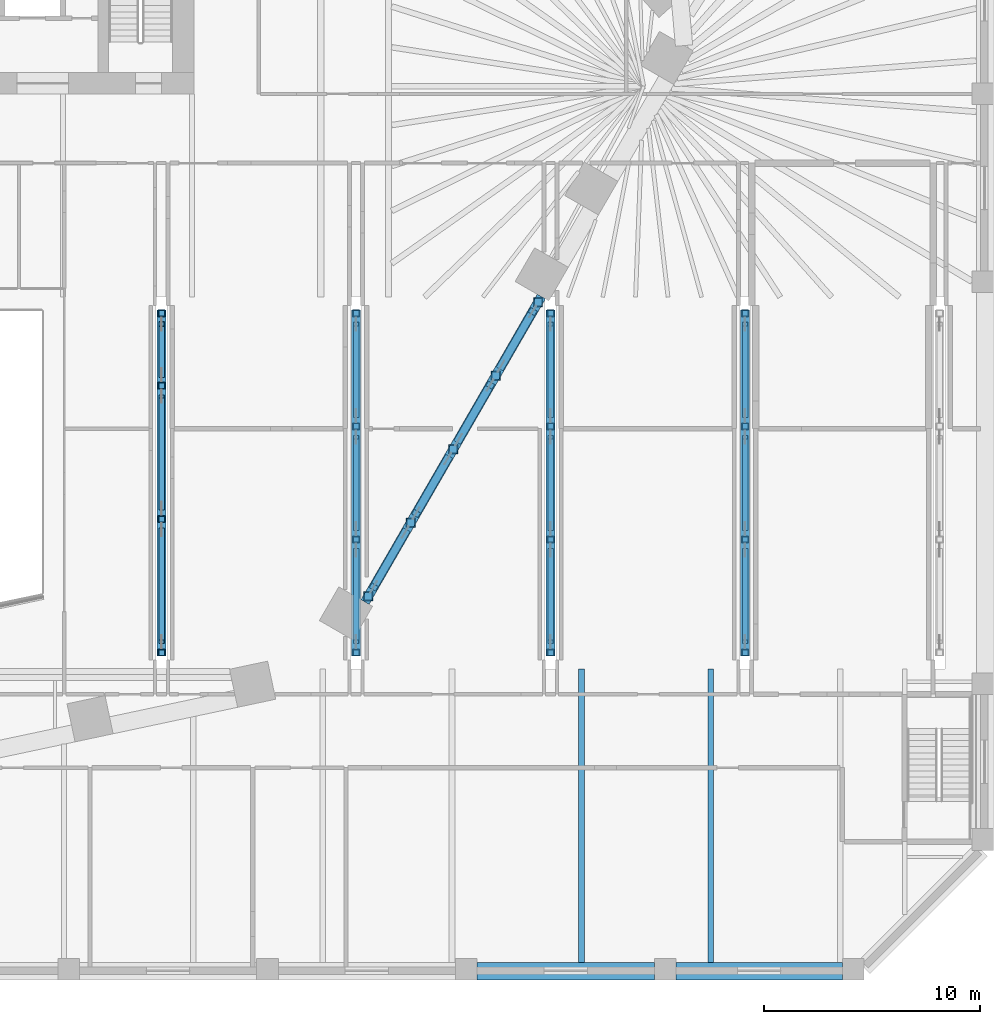
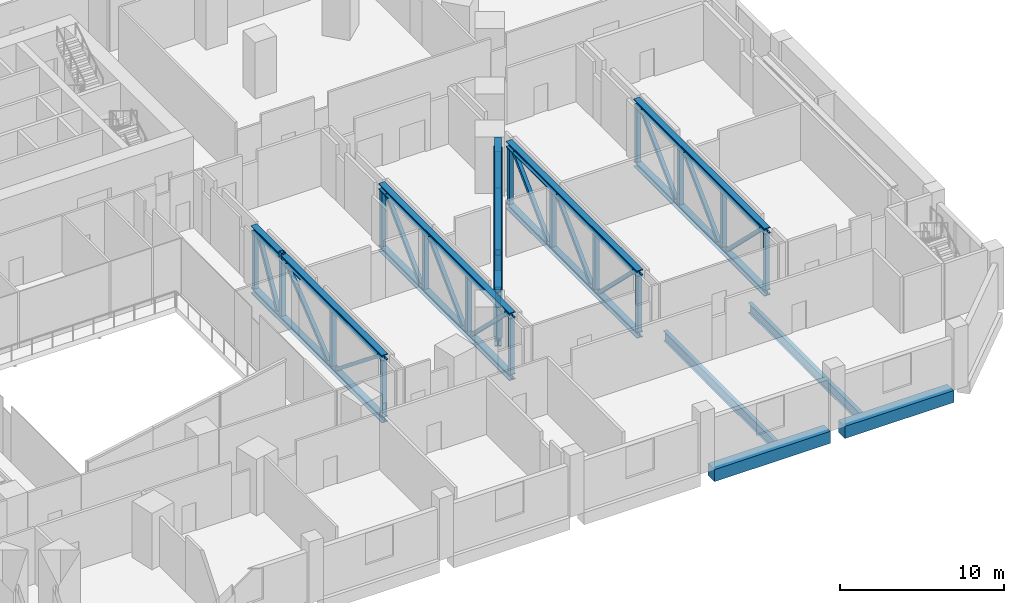
# One storey, part 7 of 32: 48 members, 4 beams.
"""IFC4 building model written with IfcOpenShell, lengths in metres."""

from ifc_helpers import new_model, si_unit, direction, frame, origin, origin_2d, place, context, subcontext, project, spatial, rectangle, hollow_rectangle, i_section, extrude, material, material_profile, profile_set, type_object, element, save


model = new_model("IFC4")

# Units and contexts
model_context = context("Model", 3, precision=1e-05, world=origin(), true_north=direction((0.0, 1.0)))
body_context = subcontext(model_context, "Body", "Model", "MODEL_VIEW")
ifc_project = project(units=[si_unit("LENGTHUNIT", "METRE"), si_unit("AREAUNIT", "SQUARE_METRE"), si_unit("VOLUMEUNIT", "CUBIC_METRE"), si_unit("PLANEANGLEUNIT", "RADIAN"), si_unit("MASSUNIT", "GRAM", prefix="KILO")], contexts=[model_context])

# Site, building, storey
site_placement = place(None, origin())
site = spatial("IfcSite", under=ifc_project, at=site_placement, CompositionType="ELEMENT")
building_placement = place(site_placement, origin())
building = spatial("IfcBuilding", under=site, at=building_placement, Name="Isthmus Gate Tower", CompositionType="ELEMENT")
storey_placement = place(building_placement, frame((0.0, 0.0, 18.0)))
storey = spatial("IfcBuildingStorey", under=building, at=storey_placement, Name="L02", CompositionType="ELEMENT", Elevation=18.0)

# Beams
ifc_material_1 = material(Name="Concrete f'c 70 MPa", Category="concrete")
ifc_material_profile_1 = material_profile(ifc_material_1, rectangle(XDim=0.800048828125, YDim=0.89990234375, at=origin_2d()), Name="RC 800X900")
ifc_profile_set_1 = profile_set([ifc_material_profile_1], Name="Concrete f'c 70 MPa")
beam_type_1 = type_object("IfcBeamType", Name="RC EDGE BEAM 800 X 900", PredefinedType="BEAM", material=ifc_profile_set_1)
beam_1_placement = place(storey_placement, frame((45.0, -40.60009765625, -0.85009765625), z_axis=(-1.0, 0.0, 0.0), x_axis=(0.0, -1.0, 0.0)))
element("IfcBeam", 1, at=beam_1_placement, inside=storey, type_object=beam_type_1, Name="str-edgebeam-L02-28", PredefinedType="BEAM", context=body_context, shape_type="SweptSolid", body=[
    extrude(rectangle(XDim=0.800048828125, YDim=0.89990234375, at=origin_2d()), origin(), (0.0, 0.0, 1.0), 7.699951171875),
])
beam_2_placement = place(storey_placement, frame((36.300048828125, -40.60009765625, -0.85009765625), z_axis=(-1.0, 0.0, 0.0), x_axis=(0.0, -1.0, 0.0)))
element("IfcBeam", 2, at=beam_2_placement, inside=storey, type_object=beam_type_1, Name="str-edgebeam-L02-29", PredefinedType="BEAM", context=body_context, shape_type="SweptSolid", body=[
    extrude(rectangle(XDim=0.800048828125, YDim=0.89990234375, at=origin_2d()), origin(), (0.0, 0.0, 1.0), 8.199951171875),
])
ifc_material_2 = material(Name="Structural steel ASTM A992 Gr 50", Category="steel")
ifc_material_profile_2 = material_profile(ifc_material_2, i_section(OverallWidth=0.263427734375, OverallDepth=0.749267578125, WebThickness=0.0126953125, FlangeThickness=0.015869140625, at=origin_2d()), Name="W30X90")
ifc_profile_set_2 = profile_set([ifc_material_profile_2], Name="Structural steel ASTM A992 Gr 50")
beam_type_2 = type_object("IfcBeamType", Name="STEEL FLOOR BEAM W30X90", PredefinedType="JOIST", material=ifc_profile_set_2)
for number, where, z_axis, x_axis, name in (
    (3, (32.927978515625, -40.199951171875, -0.774658203125), (0.0, 1.0, 0.0), (-1.0, 0.0, 0.0), "str-beam-L02-19-13"),
    (4, (38.914794921875, -40.199951171875, -0.774658203125), (0.0, 1.0, 0.0), (-1.0, 0.0, 0.0), "str-beam-L02-19-14"),
):
    element("IfcBeam", number, at=place(storey_placement, frame(where, z_axis=z_axis, x_axis=x_axis)), inside=storey, type_object=beam_type_2, Name=name, PredefinedType="JOIST", context=body_context, shape_type="SweptSolid", body=[
        extrude(i_section(OverallWidth=0.263427734375, OverallDepth=0.749267578125, WebThickness=0.0126953125, FlangeThickness=0.015869140625, at=origin_2d()), origin(), (0.0, 0.0, 1.0), 13.599853515625),
    ])

# Members
ifc_material_3 = material(Name="Structural steel ASTM A913 Gr 65", Category="steel")
ifc_material_profile_3 = material_profile(ifc_material_3, i_section(OverallWidth=0.416015625, OverallDepth=0.444580078125, WebThickness=0.039794921875, FlangeThickness=0.0634765625, at=origin_2d()), Name="W14X342")
ifc_profile_set_3 = profile_set([ifc_material_profile_3], Name="Structural steel ASTM A913 Gr 65")
member_type_1 = type_object("IfcMemberType", Name="TRANSFER TRUSS CHORD W14X342", PredefinedType="CHORD", material=ifc_profile_set_3)
member_1_placement = place(storey_placement, frame((13.5, -26.0, -0.622314453125), z_axis=(0.0, 1.0, 0.0), x_axis=(-1.0, 0.0, 0.0)))
element("IfcMember", 5, at=member_1_placement, inside=storey, type_object=member_type_1, Name="str-xtruss06-L02-05", PredefinedType="CHORD", context=body_context, shape_type="SweptSolid", body=[
    extrude(i_section(OverallWidth=0.416015625, OverallDepth=0.444580078125, WebThickness=0.039794921875, FlangeThickness=0.0634765625, at=origin_2d()), origin(), (0.0, 0.0, 1.0), 16.0),
])
member_2_placement = place(storey_placement, frame((13.5, -26.0, 3.977783203125), z_axis=(0.0, 1.0, 0.0), x_axis=(-1.0, 0.0, 0.0)))
element("IfcMember", 6, at=member_2_placement, inside=storey, type_object=member_type_1, Name="str-xtruss06-L02-06", PredefinedType="CHORD", context=body_context, shape_type="SweptSolid", body=[
    extrude(i_section(OverallWidth=0.416015625, OverallDepth=0.444580078125, WebThickness=0.039794921875, FlangeThickness=0.0634765625, at=origin_2d()), origin(), (0.0, 0.0, 1.0), 12.34765625),
])
member_3_placement = place(storey_placement, frame((13.5, -13.34765625, 3.977783203125), z_axis=(0.0, 1.0, 0.0), x_axis=(-1.0, 0.0, 0.0)))
element("IfcMember", 7, at=member_3_placement, inside=storey, type_object=member_type_1, Name="str-xtruss06-L02-07", PredefinedType="CHORD", context=body_context, shape_type="SweptSolid", body=[
    extrude(i_section(OverallWidth=0.416015625, OverallDepth=0.444580078125, WebThickness=0.039794921875, FlangeThickness=0.0634765625, at=origin_2d()), origin(), (0.0, 0.0, 1.0), 3.34765625),
])
for number, where, z_axis, x_axis, name in (
    (8, (22.5, -26.0, -0.622314453125), (0.0, 1.0, 0.0), (-1.0, 0.0, 0.0), "str-xtruss07-L02-05"),
    (9, (22.5, -26.0, 3.977783203125), (0.0, 1.0, 0.0), (-1.0, 0.0, 0.0), "str-xtruss07-L02-06"),
    (10, (31.5, -26.0, -0.622314453125), (0.0, 1.0, 0.0), (-1.0, 0.0, 0.0), "str-xtruss08-L02-05"),
    (11, (31.5, -26.0, 3.977783203125), (0.0, 1.0, 0.0), (-1.0, 0.0, 0.0), "str-xtruss08-L02-06"),
    (12, (40.5, -26.0, -0.622314453125), (0.0, 1.0, 0.0), (-1.0, 0.0, 0.0), "str-xtruss09-L02-05"),
    (13, (40.5, -26.0, 3.977783203125), (0.0, 1.0, 0.0), (-1.0, 0.0, 0.0), "str-xtruss09-L02-06"),
):
    element("IfcMember", number, at=place(storey_placement, frame(where, z_axis=z_axis, x_axis=x_axis)), inside=storey, type_object=member_type_1, Name=name, PredefinedType="CHORD", context=body_context, shape_type="SweptSolid", body=[
        extrude(i_section(OverallWidth=0.416015625, OverallDepth=0.444580078125, WebThickness=0.039794921875, FlangeThickness=0.0634765625, at=origin_2d()), origin(), (0.0, 0.0, 1.0), 16.0),
    ])
ifc_material_4 = material(Name="Structural steel ASTM A913 Gr 65", Category="steel")
ifc_material_profile_4 = material_profile(ifc_material_4, i_section(OverallWidth=0.431884765625, OverallDepth=0.49853515625, WebThickness=0.0556640625, FlangeThickness=0.0888671875, at=origin_2d()), Name="W14X500")
ifc_profile_set_4 = profile_set([ifc_material_profile_4], Name="Structural steel ASTM A913 Gr 65")
member_type_2 = type_object("IfcMemberType", Name="TRANSFER TRUSS CHORD W14X500", PredefinedType="CHORD", material=ifc_profile_set_4)
for number, where, z_axis, x_axis, name in (
    (14, (31.0732421875, -9.37939453125, 0.249267578125), (-0.499991872758, -0.866030095999, 0.0), (0.866030095999, -0.499991872758, 0.0), "str-ftruss01-L02-06"),
    (15, (31.0732421875, -9.37939453125, 3.95068359375), (-0.499991872758, -0.866030095999, 0.0), (0.866030095999, -0.499991872758, 0.0), "str-ftruss01-L02-07"),
):
    element("IfcMember", number, at=place(storey_placement, frame(where, z_axis=z_axis, x_axis=x_axis)), inside=storey, type_object=member_type_2, Name=name, PredefinedType="CHORD", context=body_context, shape_type="SweptSolid", body=[
        extrude(i_section(OverallWidth=0.431884765625, OverallDepth=0.49853515625, WebThickness=0.0556640625, FlangeThickness=0.0888671875, at=origin_2d()), origin(), (0.0, 0.0, 1.0), 16.315673828125),
    ])
ifc_material_5 = material(Name="Structural steel ASTM A500 Gr C", Category="steel")
ifc_material_profile_5 = material_profile(ifc_material_5, hollow_rectangle(XDim=0.25390625, YDim=0.25390625, WallThickness=0.01171875, at=origin_2d()), Name="HSS10X10X1/2")
ifc_profile_set_5 = profile_set([ifc_material_profile_5], Name="Structural steel ASTM A500 Gr C")
member_type_3 = type_object("IfcMemberType", Name="TRANSFER TRUSS DIAGONAL HSS10X10X1/2", PredefinedType="BRACE", material=ifc_profile_set_5)
for number, where, z_axis, x_axis, name in (
    (16, (13.5, -20.175048828125, -0.39990234375), (0.0, -0.779729873753, 0.626116062705), (1.0, 0.0, 0.0), "str-xtruss06-L02-08"),
    (17, (13.5, -19.175048828125, -0.39990234375), (0.0, 0.779729873753, 0.626116062705), (-1.0, 0.0, 0.0), "str-xtruss06-L02-09"),
):
    element("IfcMember", number, at=place(storey_placement, frame(where, z_axis=z_axis, x_axis=x_axis)), inside=storey, type_object=member_type_3, Name=name, PredefinedType="BRACE", context=body_context, shape_type="SweptSolid", body=[
        extrude(hollow_rectangle(XDim=0.25390625, YDim=0.25390625, WallThickness=0.01171875, at=origin_2d()), origin(), (0.0, 0.0, 1.0), 6.636962890625),
    ])
member_4_placement = place(storey_placement, frame((13.5, -13.0, -0.39990234375), z_axis=(0.0, 0.492267880918, 0.870443756607), x_axis=(-1.0, 0.0, 0.0)))
element("IfcMember", 18, at=member_4_placement, inside=storey, type_object=member_type_3, Name="str-xtruss06-L02-10", PredefinedType="BRACE", context=body_context, shape_type="SweptSolid", body=[
    extrude(hollow_rectangle(XDim=0.25390625, YDim=0.25390625, WallThickness=0.01171875, at=origin_2d()), origin(), (0.0, 0.0, 1.0), 4.77392578125),
])
member_5_placement = place(storey_placement, frame((22.5, -21.116943359375, -0.39990234375), z_axis=(0.0, -0.713620455815, 0.700532543885), x_axis=(1.0, 0.0, 0.0)))
element("IfcMember", 19, at=member_5_placement, inside=storey, type_object=member_type_3, Name="str-xtruss07-L02-07", PredefinedType="BRACE", context=body_context, shape_type="SweptSolid", body=[
    extrude(hollow_rectangle(XDim=0.25390625, YDim=0.25390625, WallThickness=0.01171875, at=origin_2d()), origin(), (0.0, 0.0, 1.0), 5.931884765625),
])
member_6_placement = place(storey_placement, frame((22.5, -20.116943359375, -0.39990234375), z_axis=(0.0, 0.713681040622, 0.700470821845), x_axis=(-1.0, 0.0, 0.0)))
element("IfcMember", 20, at=member_6_placement, inside=storey, type_object=member_type_3, Name="str-xtruss07-L02-08", PredefinedType="BRACE", context=body_context, shape_type="SweptSolid", body=[
    extrude(hollow_rectangle(XDim=0.25390625, YDim=0.25390625, WallThickness=0.01171875, at=origin_2d()), origin(), (0.0, 0.0, 1.0), 5.932373046875),
])
for number, where, z_axis, x_axis, name in (
    (21, (22.5, -14.883056640625, -0.39990234375), (0.0, 0.713620455815, 0.700532543885), (-1.0, 0.0, 0.0), "str-xtruss07-L02-09"),
    (22, (31.5, -21.116943359375, -0.39990234375), (0.0, -0.713620455815, 0.700532543885), (1.0, 0.0, 0.0), "str-xtruss08-L02-07"),
):
    element("IfcMember", number, at=place(storey_placement, frame(where, z_axis=z_axis, x_axis=x_axis)), inside=storey, type_object=member_type_3, Name=name, PredefinedType="BRACE", context=body_context, shape_type="SweptSolid", body=[
        extrude(hollow_rectangle(XDim=0.25390625, YDim=0.25390625, WallThickness=0.01171875, at=origin_2d()), origin(), (0.0, 0.0, 1.0), 5.931884765625),
    ])
member_7_placement = place(storey_placement, frame((31.5, -20.116943359375, -0.39990234375), z_axis=(0.0, 0.713681040622, 0.700470821845), x_axis=(-1.0, 0.0, 0.0)))
element("IfcMember", 23, at=member_7_placement, inside=storey, type_object=member_type_3, Name="str-xtruss08-L02-08", PredefinedType="BRACE", context=body_context, shape_type="SweptSolid", body=[
    extrude(hollow_rectangle(XDim=0.25390625, YDim=0.25390625, WallThickness=0.01171875, at=origin_2d()), origin(), (0.0, 0.0, 1.0), 5.932373046875),
])
for number, where, z_axis, x_axis, name in (
    (24, (31.5, -14.883056640625, -0.39990234375), (0.0, 0.713620455815, 0.700532543885), (-1.0, 0.0, 0.0), "str-xtruss08-L02-09"),
    (25, (40.5, -21.116943359375, -0.39990234375), (0.0, -0.713620455815, 0.700532543885), (1.0, 0.0, 0.0), "str-xtruss09-L02-07"),
):
    element("IfcMember", number, at=place(storey_placement, frame(where, z_axis=z_axis, x_axis=x_axis)), inside=storey, type_object=member_type_3, Name=name, PredefinedType="BRACE", context=body_context, shape_type="SweptSolid", body=[
        extrude(hollow_rectangle(XDim=0.25390625, YDim=0.25390625, WallThickness=0.01171875, at=origin_2d()), origin(), (0.0, 0.0, 1.0), 5.931884765625),
    ])
member_8_placement = place(storey_placement, frame((40.5, -20.116943359375, -0.39990234375), z_axis=(0.0, 0.713681040622, 0.700470821845), x_axis=(-1.0, 0.0, 0.0)))
element("IfcMember", 26, at=member_8_placement, inside=storey, type_object=member_type_3, Name="str-xtruss09-L02-08", PredefinedType="BRACE", context=body_context, shape_type="SweptSolid", body=[
    extrude(hollow_rectangle(XDim=0.25390625, YDim=0.25390625, WallThickness=0.01171875, at=origin_2d()), origin(), (0.0, 0.0, 1.0), 5.932373046875),
])
member_9_placement = place(storey_placement, frame((40.5, -14.883056640625, -0.39990234375), z_axis=(0.0, 0.713620455815, 0.700532543885), x_axis=(-1.0, 0.0, 0.0)))
element("IfcMember", 27, at=member_9_placement, inside=storey, type_object=member_type_3, Name="str-xtruss09-L02-09", PredefinedType="BRACE", context=body_context, shape_type="SweptSolid", body=[
    extrude(hollow_rectangle(XDim=0.25390625, YDim=0.25390625, WallThickness=0.01171875, at=origin_2d()), origin(), (0.0, 0.0, 1.0), 5.931884765625),
])
ifc_material_6 = material(Name="Structural steel ASTM A500 Gr C", Category="steel")
ifc_material_profile_6 = material_profile(ifc_material_6, hollow_rectangle(XDim=0.355712890625, YDim=0.355712890625, WallThickness=0.017578125, at=origin_2d()), Name="HSS14X14X3/4")
ifc_profile_set_6 = profile_set([ifc_material_profile_6], Name="Structural steel ASTM A500 Gr C")
member_type_4 = type_object("IfcMemberType", Name="TRANSFER TRUSS DIAGONAL HSS14X14X3/4", PredefinedType="BRACE", material=ifc_profile_set_6)
member_10_placement = place(storey_placement, frame((29.208740234375, -12.60888671875, 0.49853515625), z_axis=(0.337444348292, 0.584438536215, 0.737945058384), x_axis=(-0.866013467834, 0.500020673103, 0.0)))
element("IfcMember", 28, at=member_10_placement, inside=storey, type_object=member_type_4, Name="str-ftruss01-L02-08", PredefinedType="BRACE", context=body_context, shape_type="SweptSolid", body=[
    extrude(hollow_rectangle(XDim=0.355712890625, YDim=0.355712890625, WallThickness=0.017578125, at=origin_2d()), origin(), (0.0, 0.0, 1.0), 4.34033203125),
])
member_11_placement = place(storey_placement, frame((27.244384765625, -16.011474609375, 0.49853515625), z_axis=(0.337394501898, 0.584449628997, 0.737959064755), x_axis=(-0.866049559976, 0.499958157915, 0.0)))
element("IfcMember", 29, at=member_11_placement, inside=storey, type_object=member_type_4, Name="str-ftruss01-L02-09", PredefinedType="BRACE", context=body_context, shape_type="SweptSolid", body=[
    extrude(hollow_rectangle(XDim=0.355712890625, YDim=0.355712890625, WallThickness=0.017578125, at=origin_2d()), origin(), (0.0, 0.0, 1.0), 4.340087890625),
])
member_12_placement = place(storey_placement, frame((26.744384765625, -16.87744140625, 0.49853515625), z_axis=(-0.337444348292, -0.584438536215, 0.737945058384), x_axis=(0.866013467834, -0.500020673103, 0.0)))
element("IfcMember", 30, at=member_12_placement, inside=storey, type_object=member_type_4, Name="str-ftruss01-L02-10", PredefinedType="BRACE", context=body_context, shape_type="SweptSolid", body=[
    extrude(hollow_rectangle(XDim=0.355712890625, YDim=0.355712890625, WallThickness=0.017578125, at=origin_2d()), origin(), (0.0, 0.0, 1.0), 4.34033203125),
])
member_13_placement = place(storey_placement, frame((24.77978515625, -20.280029296875, 0.49853515625), z_axis=(-0.337394501898, -0.584449628997, 0.737959064755), x_axis=(0.866049559976, -0.499958157915, 0.0)))
element("IfcMember", 31, at=member_13_placement, inside=storey, type_object=member_type_4, Name="str-ftruss01-L02-11", PredefinedType="BRACE", context=body_context, shape_type="SweptSolid", body=[
    extrude(hollow_rectangle(XDim=0.355712890625, YDim=0.355712890625, WallThickness=0.017578125, at=origin_2d()), origin(), (0.0, 0.0, 1.0), 4.340087890625),
])
ifc_material_7 = material(Name="Structural steel ASTM A500 Gr C", Category="steel")
ifc_material_profile_7 = material_profile(ifc_material_7, hollow_rectangle(XDim=0.3046875, YDim=0.3046875, WallThickness=0.014892578125, at=origin_2d()), Name="HSS12X12X5/8")
ifc_profile_set_7 = profile_set([ifc_material_profile_7], Name="Structural steel ASTM A500 Gr C")
member_type_5 = type_object("IfcMemberType", Name="TRANSFER TRUSS POST HSS12X12X5/8", PredefinedType="POST", material=ifc_profile_set_7)
for number, where, z_axis, x_axis, name in (
    (32, (13.5, -25.85009765625, -0.39990234375), (0.0, 0.0, 1.0), (1.0, 0.0, 0.0), "str-xtruss06-L02-01"),
    (33, (13.5, -19.675048828125, -0.39990234375), (0.0, 0.0, 1.0), (1.0, 0.0, 0.0), "str-xtruss06-L02-02"),
):
    element("IfcMember", number, at=place(storey_placement, frame(where, z_axis=z_axis, x_axis=x_axis)), inside=storey, type_object=member_type_5, Name=name, PredefinedType="POST", context=body_context, shape_type="SweptSolid", body=[
        extrude(hollow_rectangle(XDim=0.3046875, YDim=0.3046875, WallThickness=0.014892578125, at=origin_2d()), origin(), (0.0, 0.0, 1.0), 4.155517578125),
    ])
member_14_placement = place(storey_placement, frame((13.5, -13.5, -0.39990234375), z_axis=(0.0, 0.0, 1.0), x_axis=(1.0, 0.0, 0.0)))
element("IfcMember", 34, at=member_14_placement, inside=storey, type_object=member_type_5, Name="str-xtruss06-L02-03", PredefinedType="POST", context=body_context, shape_type="SweptSolid", body=[
    extrude(hollow_rectangle(XDim=0.3046875, YDim=0.3046875, WallThickness=0.014892578125, at=origin_2d()), origin(), (0.0, 0.0, 1.0), 4.699951171875),
])
for number, where, z_axis, x_axis, name in (
    (35, (13.5, -10.14990234375, -0.39990234375), (0.0, 0.0, 1.0), (1.0, 0.0, 0.0), "str-xtruss06-L02-04"),
    (36, (22.5, -25.85009765625, -0.39990234375), (0.0, 0.0, 1.0), (1.0, 0.0, 0.0), "str-xtruss07-L02-01"),
    (37, (22.5, -20.616943359375, -0.39990234375), (0.0, 0.0, 1.0), (1.0, 0.0, 0.0), "str-xtruss07-L02-02"),
    (38, (22.5, -15.383056640625, -0.39990234375), (0.0, 0.0, 1.0), (1.0, 0.0, 0.0), "str-xtruss07-L02-03"),
    (39, (22.5, -10.14990234375, -0.39990234375), (0.0, 0.0, 1.0), (1.0, 0.0, 0.0), "str-xtruss07-L02-04"),
    (40, (31.5, -25.85009765625, -0.39990234375), (0.0, 0.0, 1.0), (1.0, 0.0, 0.0), "str-xtruss08-L02-01"),
    (41, (31.5, -20.616943359375, -0.39990234375), (0.0, 0.0, 1.0), (1.0, 0.0, 0.0), "str-xtruss08-L02-02"),
    (42, (31.5, -15.383056640625, -0.39990234375), (0.0, 0.0, 1.0), (1.0, 0.0, 0.0), "str-xtruss08-L02-03"),
    (43, (31.5, -10.14990234375, -0.39990234375), (0.0, 0.0, 1.0), (1.0, 0.0, 0.0), "str-xtruss08-L02-04"),
    (44, (40.5, -25.85009765625, -0.39990234375), (0.0, 0.0, 1.0), (1.0, 0.0, 0.0), "str-xtruss09-L02-01"),
    (45, (40.5, -20.616943359375, -0.39990234375), (0.0, 0.0, 1.0), (1.0, 0.0, 0.0), "str-xtruss09-L02-02"),
    (46, (40.5, -15.383056640625, -0.39990234375), (0.0, 0.0, 1.0), (1.0, 0.0, 0.0), "str-xtruss09-L02-03"),
    (47, (40.5, -10.14990234375, -0.39990234375), (0.0, 0.0, 1.0), (1.0, 0.0, 0.0), "str-xtruss09-L02-04"),
):
    element("IfcMember", number, at=place(storey_placement, frame(where, z_axis=z_axis, x_axis=x_axis)), inside=storey, type_object=member_type_5, Name=name, PredefinedType="POST", context=body_context, shape_type="SweptSolid", body=[
        extrude(hollow_rectangle(XDim=0.3046875, YDim=0.3046875, WallThickness=0.014892578125, at=origin_2d()), origin(), (0.0, 0.0, 1.0), 4.155517578125),
    ])
ifc_material_8 = material(Name="Structural steel ASTM A500 Gr C", Category="steel")
ifc_material_profile_8 = material_profile(ifc_material_8, hollow_rectangle(XDim=0.406494140625, YDim=0.406494140625, WallThickness=0.017578125, at=origin_2d()), Name="HSS16X16X3/4")
ifc_profile_set_8 = profile_set([ifc_material_profile_8], Name="Structural steel ASTM A500 Gr C")
member_type_6 = type_object("IfcMemberType", Name="TRANSFER TRUSS POST HSS16X16X3/4", PredefinedType="POST", material=ifc_profile_set_8)
for number, where, z_axis, x_axis, name in (
    (48, (30.92333984375, -9.63916015625, 0.49853515625), (0.0, 0.0, 1.0), (1.0, 0.0, 0.0), "str-ftruss01-L02-01"),
    (49, (28.958740234375, -13.041748046875, 0.49853515625), (0.0, 0.0, 1.0), (1.0, 0.0, 0.0), "str-ftruss01-L02-02"),
    (50, (26.994384765625, -16.444580078125, 0.49853515625), (0.0, 0.0, 1.0), (1.0, 0.0, 0.0), "str-ftruss01-L02-03"),
    (51, (25.02978515625, -19.84716796875, 0.49853515625), (0.0, 0.0, 1.0), (1.0, 0.0, 0.0), "str-ftruss01-L02-04"),
    (52, (23.0654296875, -23.249755859375, 0.49853515625), (0.0, 0.0, 1.0), (1.0, 0.0, 0.0), "str-ftruss01-L02-05"),
):
    element("IfcMember", number, at=place(storey_placement, frame(where, z_axis=z_axis, x_axis=x_axis)), inside=storey, type_object=member_type_6, Name=name, PredefinedType="POST", context=body_context, shape_type="SweptSolid", body=[
        extrude(hollow_rectangle(XDim=0.406494140625, YDim=0.406494140625, WallThickness=0.017578125, at=origin_2d()), origin(), (0.0, 0.0, 1.0), 3.202880859375),
    ])

save(model, "model.ifc")
